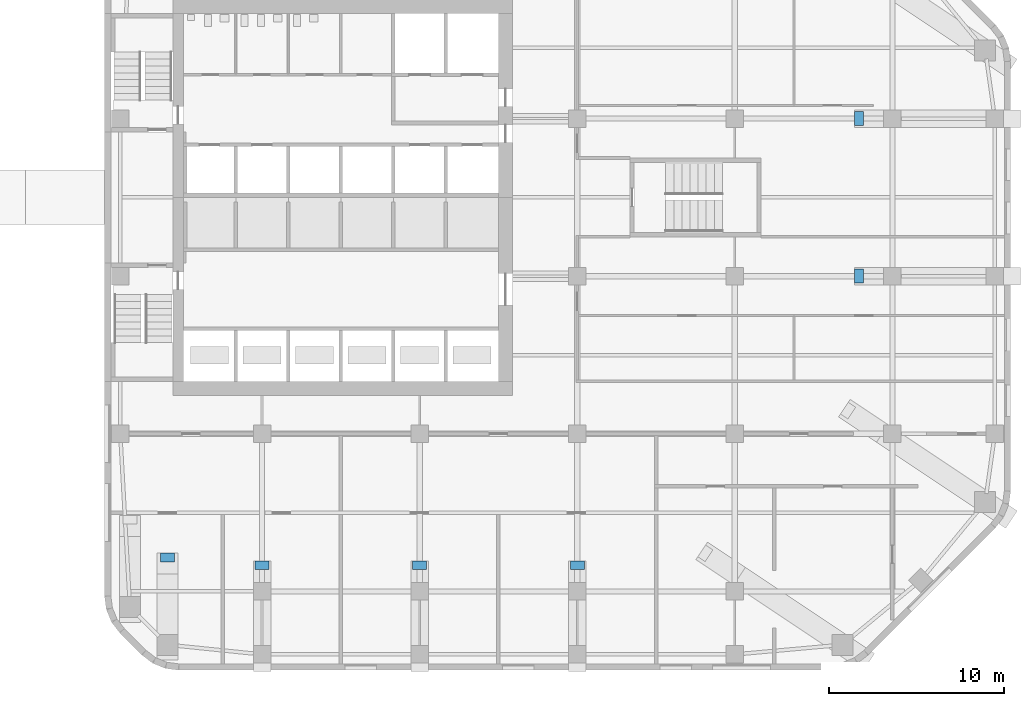
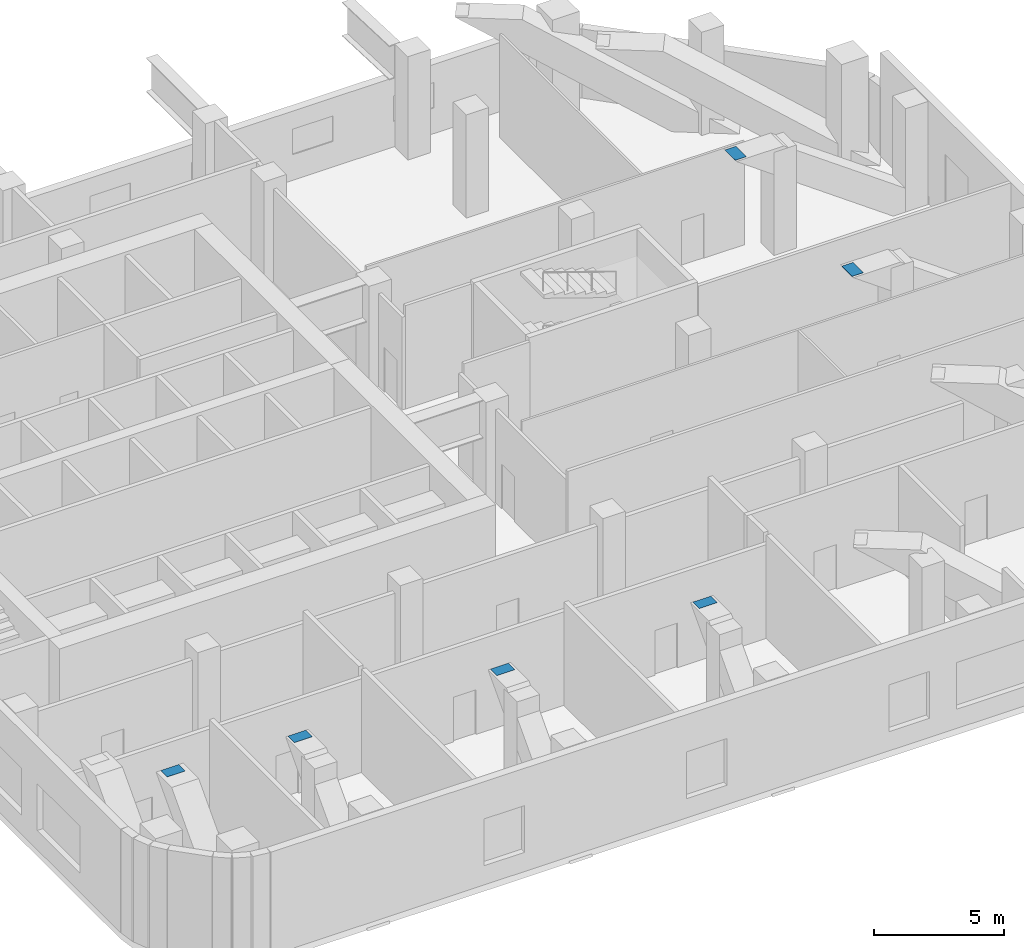
# One storey, part 8 of 11: 6 discrete accessories.
"""IFC4 building model written with IfcOpenShell, lengths in metres."""

from ifc_helpers import new_model, si_unit, direction, frame, origin, origin_2d, place, context, subcontext, project, spatial, rectangle, extrude, material, type_object, element, save


model = new_model("IFC4")

# Units and contexts
model_context = context("Model", 3, precision=1e-05, world=origin(), true_north=direction((0.0, 1.0)))
body_context = subcontext(model_context, "Body", "Model", "MODEL_VIEW")
ifc_project = project(units=[si_unit("LENGTHUNIT", "METRE"), si_unit("AREAUNIT", "SQUARE_METRE"), si_unit("VOLUMEUNIT", "CUBIC_METRE"), si_unit("PLANEANGLEUNIT", "RADIAN"), si_unit("MASSUNIT", "GRAM", prefix="KILO")], contexts=[model_context])

# Site, building, storey
site_placement = place(None, origin())
site = spatial("IfcSite", under=ifc_project, at=site_placement, CompositionType="ELEMENT")
building_placement = place(site_placement, origin())
building = spatial("IfcBuilding", under=site, at=building_placement, Name="Cinnabar Reach Civic Tower", CompositionType="ELEMENT")
storey_placement = place(building_placement, frame((0.0, 0.0, 144.0)))
storey = spatial("IfcBuildingStorey", under=building, at=storey_placement, Name="L34", CompositionType="ELEMENT", Elevation=144.0)

# Discrete accessories
ifc_material = material(Name="Steel Q355B", Category="steel")
discrete_accessory_type = type_object("IfcDiscreteAccessoryType", Name="Raked column head plate", PredefinedType="USERDEFINED", material=ifc_material)
for number, where, z_axis, x_axis, name in (
    (1, (3.6019, 10.9423, 4.98), (0.0, 0.0, 1.0), (0.0, 1.0, 0.0), "Raked column head plate"),
    (2, (9.0, 10.4892, 4.98), (0.0, 0.0, 1.0), (0.0, 1.0, 0.0), "Raked column head plate"),
    (3, (18.0, 10.4892, 4.98), (0.0, 0.0, 1.0), (0.0, 1.0, 0.0), "Raked column head plate"),
    (4, (27.0, 10.4892, 4.98), (0.0, 0.0, 1.0), (0.0, 1.0, 0.0), "Raked column head plate"),
    (5, (43.0912, 27.0, 4.98), (0.0, 0.0, 1.0), (-1.0, 0.0, 0.0), "Raked column head plate"),
    (6, (43.0912, 36.0, 4.98), (0.0, 0.0, 1.0), (-1.0, 0.0, 0.0), "Raked column head plate"),
):
    element("IfcDiscreteAccessory", number, at=place(storey_placement, frame(where, z_axis=z_axis, x_axis=x_axis)), inside=storey, type_object=discrete_accessory_type, Name=name, ObjectType="HEAD PLATE", PredefinedType="USERDEFINED", context=body_context, shape_type="SweptSolid", body=[
        extrude(rectangle(XDim=0.5, YDim=0.8, at=origin_2d()), origin(), (0.0, 0.0, 1.0), 0.02),
    ])

save(model, "model.ifc")
